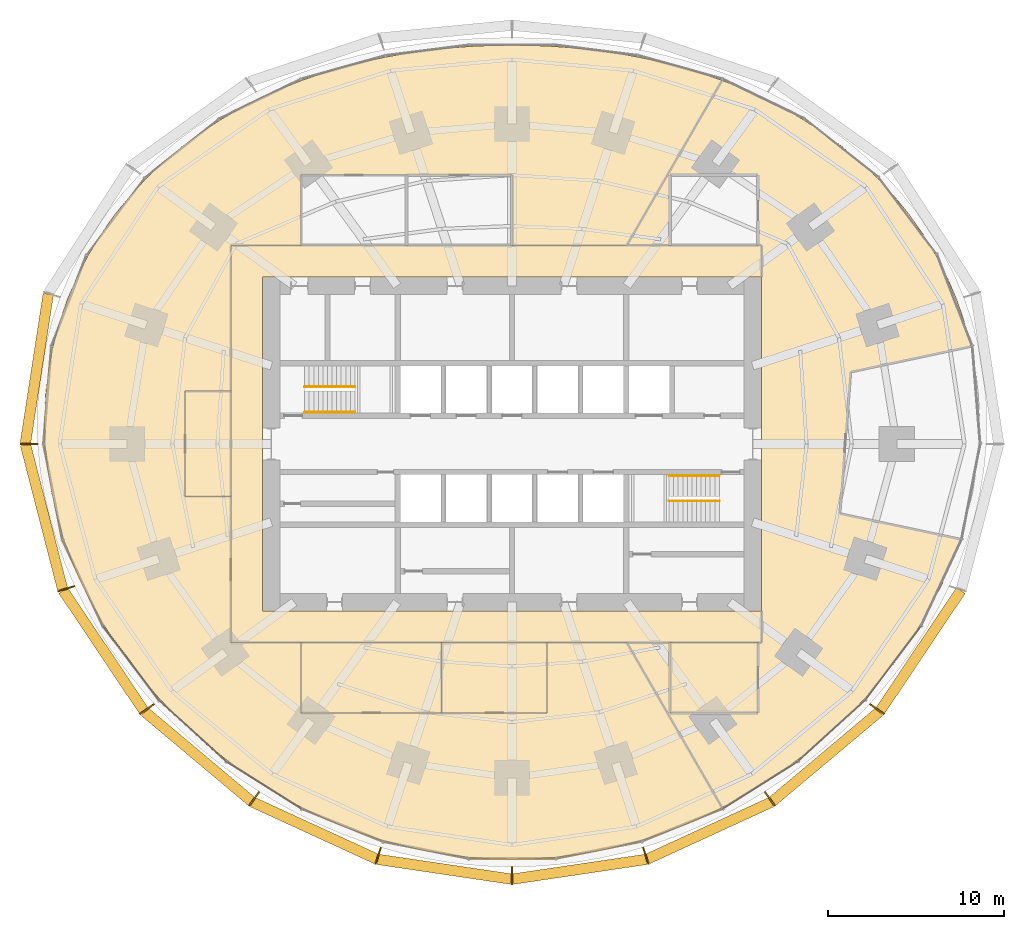
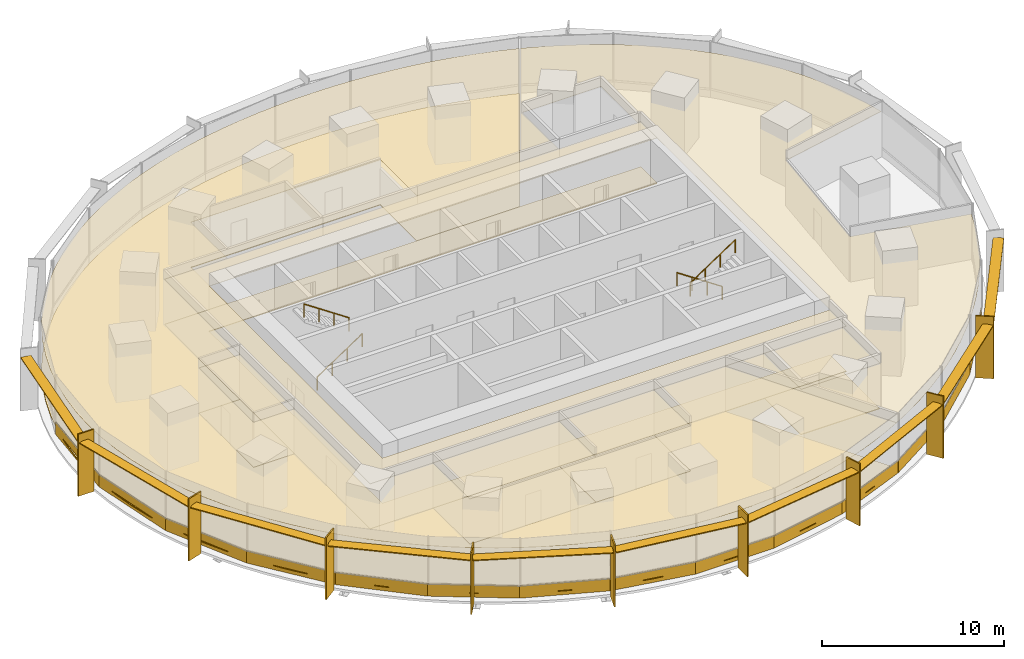
# One storey, part 14 of 15: 27 coverings, 19 shading devices, 4 railings.
"""IFC4 building model written with IfcOpenShell, lengths in metres."""

from ifc_helpers import new_model, si_unit, direction, frame, origin, origin_2d, place, context, subcontext, project, spatial, polyline, rectangle, circle, outline, extrude, material, layer, layer_set, type_object, element, save


model = new_model("IFC4")

# Units and contexts
model_context = context("Model", 3, precision=1e-05, world=origin(), true_north=direction((0.0, 1.0)))
body_context = subcontext(model_context, "Body", "Model", "MODEL_VIEW")
ifc_project = project(units=[si_unit("LENGTHUNIT", "METRE"), si_unit("AREAUNIT", "SQUARE_METRE"), si_unit("VOLUMEUNIT", "CUBIC_METRE"), si_unit("PLANEANGLEUNIT", "RADIAN"), si_unit("MASSUNIT", "GRAM", prefix="KILO")], contexts=[model_context])

# Site, building, storey
site_placement = place(None, origin())
site = spatial("IfcSite", under=ifc_project, at=site_placement, CompositionType="ELEMENT")
building_placement = place(site_placement, origin())
building = spatial("IfcBuilding", under=site, at=building_placement, Name="Marramba Exchange Tower", CompositionType="ELEMENT")
storey_placement = place(building_placement, frame((0.0, 0.0, 82.60009765625)))
storey = spatial("IfcBuildingStorey", under=building, at=storey_placement, Name="L19", CompositionType="ELEMENT", Elevation=82.60009765625)

# Shading devices
ifc_material_1 = material(Name="Aluminium blade, timber-look bronze finish", Category="wood")
ifc_layer_1 = layer(ifc_material_1, 0.080078125)
ifc_layer_set_1 = layer_set([ifc_layer_1], Name="Floor-edge blade 1000x80")
shading_device_type_1 = type_object("IfcShadingDeviceType", Name="Floor-edge blade 1000x80", PredefinedType="USERDEFINED", material=ifc_layer_set_1)
for number, where, z_axis, x_axis, name in (
    (1, (-27.5, 0.0, -0.16015625), (0.0, 0.0, 1.0), (-1.0, 0.0, 0.0), "Floor-edge blade FB1 L19 TC11"),
    (2, (-25.3740234375, -8.24462890625, -0.16015625), (0.0, 0.0, 1.0), (-0.951056516295, -0.309016994375, 0.0), "Floor-edge blade FB1 L19 TC12"),
    (3, (-20.773193359375, -15.092529296875, -0.16015625), (0.0, 0.0, 1.0), (-0.809016994375, -0.587785252292, 0.0), "Floor-edge blade FB1 L19 TC13"),
    (4, (-14.6787109375, -20.20361328125, -0.16015625), (0.0, 0.0, 1.0), (-0.587785252292, -0.809016994375, 0.0), "Floor-edge blade FB1 L19 TC14"),
    (5, (-7.61767578125, -23.444580078125, -0.16015625), (0.0, 0.0, 1.0), (-0.309016994375, -0.951056516295, 0.0), "Floor-edge blade FB1 L19 TC15"),
    (6, (0.0, -24.572021484375, -0.16015625), (0.0, 0.0, 1.0), (0.0, -1.0, 0.0), "Floor-edge blade FB1 L19 TC16"),
    (7, (7.61767578125, -23.444580078125, -0.16015625), (0.0, 0.0, 1.0), (0.309016994375, -0.951056516295, 0.0), "Floor-edge blade FB1 L19 TC17"),
    (8, (14.6787109375, -20.20361328125, -0.16015625), (0.0, 0.0, 1.0), (0.587785252292, -0.809016994375, 0.0), "Floor-edge blade FB1 L19 TC18"),
    (9, (20.773193359375, -15.092529296875, -0.16015625), (0.0, 0.0, 1.0), (0.809016994375, -0.587785252292, 0.0), "Floor-edge blade FB1 L19 TC19"),
):
    element("IfcShadingDevice", number, at=place(storey_placement, frame(where, z_axis=z_axis, x_axis=x_axis)), inside=storey, type_object=shading_device_type_1, Name=name, ObjectType="FIN", PredefinedType="USERDEFINED", context=body_context, shape_type="SweptSolid", body=[
        extrude(rectangle(XDim=1.0, YDim=0.080078125, at=origin_2d()), origin(), (0.0, 0.0, 1.0), 4.159912109375),
    ])

# Coverings
ifc_material_2 = material(Name="Steel raised access floor panels", Category="steel")
ifc_layer_2 = layer(ifc_material_2, 0.050048828125)
ifc_layer_set_2 = layer_set([ifc_layer_2], Name="Raised access floor 300")
covering_type_1 = type_object("IfcCoveringType", Name="Raised access floor 300", PredefinedType="FLOORING", material=ifc_layer_set_2)
covering_1_placement = place(storey_placement, frame((0.0, 0.0, 0.25)))
element("IfcCovering", 10, at=covering_1_placement, inside=storey, type_object=covering_type_1, Name="Raised access floor RAF1 L19 Office", PredefinedType="FLOORING", context=body_context, shape_type="SweptSolid", body=[
    extrude(outline(polyline([(-16.0, 3.0), (-18.60009765625, 3.0), (-18.60009765625, -3.0), (-16.0, -3.0), (-16.0, -11.300048828125), (-12.0, -11.300048828125), (-12.0, -15.300048828125), (-4.0, -15.300048828125), (2.0, -15.300048828125), (2.0, -11.300048828125), (6.524169921875, -11.300048828125), (11.58154296875, -20.059814453125), (11.94921875, -20.69677734375), (10.82373046875, -21.242919921875), (9.677734375, -21.736328125), (8.512451171875, -22.17578125), (7.330078125, -22.56005859375), (6.1328125, -22.8876953125), (4.92236328125, -23.15771484375), (3.701416015625, -23.368896484375), (2.47216796875, -23.5205078125), (1.2373046875, -23.611572265625), (0.0, -23.64208984375), (-1.2373046875, -23.611572265625), (-2.47216796875, -23.5205078125), (-3.701416015625, -23.368896484375), (-4.92236328125, -23.15771484375), (-6.1328125, -22.8876953125), (-7.330078125, -22.56005859375), (-8.512451171875, -22.17578125), (-9.677734375, -21.736328125), (-10.82373046875, -21.242919921875), (-11.94921875, -20.69677734375), (-13.052490234375, -20.09912109375), (-14.132080078125, -19.451171875), (-15.1865234375, -18.75390625), (-16.21435546875, -18.0078125), (-17.213623046875, -17.213623046875), (-18.1826171875, -16.371826171875), (-19.119384765625, -15.482421875), (-20.020751953125, -14.5458984375), (-20.88427734375, -13.5625), (-21.7060546875, -12.531982421875), (-22.482177734375, -11.455322265625), (-23.208251953125, -10.3330078125), (-23.879150390625, -9.166259765625), (-24.489501953125, -7.95703125), (-25.033935546875, -6.707763671875), (-25.50634765625, -5.421630859375), (-25.9013671875, -4.102294921875), (-26.213623046875, -2.755126953125), (-26.43798828125, -1.385498046875), (-26.570068359375, 0.0), (-26.6064453125, 1.394287109375), (-26.544921875, 2.7900390625), (-26.3837890625, 4.1787109375), (-26.123291015625, 5.552734375), (-25.763916015625, 6.9033203125), (-25.30859375, 8.22314453125), (-24.76025390625, 9.50439453125), (-24.12353515625, 10.740478515625), (-23.40380859375, 11.9248046875), (-22.607177734375, 13.05224609375), (-21.740478515625, 14.118408203125), (-20.810791015625, 15.119873046875), (-19.8251953125, 16.05419921875), (-18.791259765625, 16.919677734375), (-17.71630859375, 17.71630859375), (-16.60693359375, 18.44384765625), (-15.4697265625, 19.103759765625), (-14.31103515625, 19.697509765625), (-13.135986328125, 20.2275390625), (-11.94921875, 20.69677734375), (-10.755126953125, 21.10791015625), (-9.556640625, 21.464599609375), (-8.356689453125, 21.76953125), (-7.15673828125, 22.0263671875), (-5.95849609375, 22.23779296875), (-4.7626953125, 22.406982421875), (-3.5693359375, 22.535888671875), (-2.378173828125, 22.62646484375), (-1.188720703125, 22.68017578125), (0.0, 22.697998046875), (1.188720703125, 22.68017578125), (2.378173828125, 22.62646484375), (3.5693359375, 22.535888671875), (4.7626953125, 22.406982421875), (5.95849609375, 22.23779296875), (7.15673828125, 22.0263671875), (8.356689453125, 21.76953125), (9.556640625, 21.464599609375), (10.755126953125, 21.10791015625), (11.94921875, 20.69677734375), (11.58154296875, 20.059814453125), (6.524169921875, 11.300048828125), (0.0, 11.300048828125), (0.0, 15.300048828125), (-6.0, 15.300048828125), (-12.0, 15.300048828125), (-12.0, 11.300048828125), (-16.0, 11.300048828125), (-16.0, 3.0)])), origin(), (0.0, 0.0, 1.0), 0.0498046875),
])
covering_2_placement = place(storey_placement, frame((0.0, 0.0, 0.25)))
element("IfcCovering", 11, at=covering_2_placement, inside=storey, type_object=covering_type_1, Name="Raised access floor RAF1 L19 Corridor", PredefinedType="FLOORING", context=body_context, shape_type="SweptSolid", body=[
    extrude(outline(polyline([(-16.0, -11.300048828125), (-16.0, 11.300048828125), (14.199951171875, 11.300048828125), (14.199951171875, 9.5), (-14.199951171875, 9.5), (-14.199951171875, -9.5), (14.199951171875, -9.5), (14.199951171875, -11.300048828125), (-16.0, -11.300048828125)])), origin(), (0.0, 0.0, 1.0), 0.0498046875),
])
covering_3_placement = place(storey_placement, frame((0.0, 0.0, 0.25)))
element("IfcCovering", 12, at=covering_3_placement, inside=storey, type_object=covering_type_1, Name="Raised access floor RAF1 L19 Data Room", PredefinedType="FLOORING", context=body_context, shape_type="SweptSolid", body=[
    extrude(outline(polyline([(14.0, -15.300048828125), (9.0, -15.300048828125), (9.0, -11.300048828125), (14.0, -11.300048828125), (14.0, -15.300048828125)])), origin(), (0.0, 0.0, 1.0), 0.0498046875),
])
covering_4_placement = place(storey_placement, frame((0.0, 0.0, 0.25)))
element("IfcCovering", 13, at=covering_4_placement, inside=storey, type_object=covering_type_1, Name="Raised access floor RAF1 L19 Clearing Office", PredefinedType="FLOORING", context=body_context, shape_type="SweptSolid", body=[
    extrude(outline(polyline([(-4.0, -15.300048828125), (-12.0, -15.300048828125), (-12.0, -11.300048828125), (-4.0, -11.300048828125), (-4.0, -15.300048828125)])), origin(), (0.0, 0.0, 1.0), 0.0498046875),
])
covering_5_placement = place(storey_placement, frame((0.0, 0.0, 0.25)))
element("IfcCovering", 14, at=covering_5_placement, inside=storey, type_object=covering_type_1, Name="Raised access floor RAF1 L19 Pantry", PredefinedType="FLOORING", context=body_context, shape_type="SweptSolid", body=[
    extrude(outline(polyline([(2.0, -15.300048828125), (-4.0, -15.300048828125), (-4.0, -11.300048828125), (2.0, -11.300048828125), (2.0, -15.300048828125)])), origin(), (0.0, 0.0, 1.0), 0.0498046875),
])
covering_6_placement = place(storey_placement, frame((0.0, 0.0, 0.25)))
element("IfcCovering", 15, at=covering_6_placement, inside=storey, type_object=covering_type_1, Name="Raised access floor RAF1 L19 Print Room", PredefinedType="FLOORING", context=body_context, shape_type="SweptSolid", body=[
    extrude(outline(polyline([(-16.0, -3.0), (-18.60009765625, -3.0), (-18.60009765625, 3.0), (-16.0, 3.0), (-16.0, -3.0)])), origin(), (0.0, 0.0, 1.0), 0.0498046875),
])

# Shading devices
ifc_material_3 = material(Name="Aluminium sunshade, bronze anodised", Category="aluminium")
ifc_layer_3 = layer(ifc_material_3, 0.06005859375)
ifc_layer_set_3 = layer_set([ifc_layer_3], Name="SUNSHADE blade 600x60")
shading_device_type_2 = type_object("IfcShadingDeviceType", Name="SUNSHADE blade 600x60", PredefinedType="USERDEFINED", material=ifc_layer_set_3)
shading_device_1_placement = place(storey_placement, frame((-27.04150390625, 4.2861328125, 3.419921875), z_axis=(0.0, 0.0, 1.0), x_axis=(-0.151825486228, -0.988407315701, 0.0)))
element("IfcShadingDevice", 16, at=shading_device_1_placement, inside=storey, type_object=shading_device_type_2, Name="Sunshade SS1 L19 bay 10", ObjectType="SUNSHADE", PredefinedType="USERDEFINED", context=body_context, shape_type="SweptSolid", body=[
    extrude(rectangle(XDim=8.593017578125, YDim=0.60009765625, at=origin_2d()), origin(), (0.0, 0.0, 1.0), 0.06005859375),
])
shading_device_2_placement = place(storey_placement, frame((-26.632080078125, -4.153076171875, 3.419921875), z_axis=(0.0, 0.0, 1.0), x_axis=(0.249024641331, -0.968497149201, 0.0)))
element("IfcShadingDevice", 17, at=shading_device_2_placement, inside=storey, type_object=shading_device_type_2, Name="Sunshade SS1 L19 bay 11", ObjectType="SUNSHADE", PredefinedType="USERDEFINED", context=body_context, shape_type="SweptSolid", body=[
    extrude(rectangle(XDim=8.49658203125, YDim=0.60009765625, at=origin_2d()), origin(), (0.0, 0.0, 1.0), 0.06005859375),
])
shading_device_3_placement = place(storey_placement, frame((-23.24951171875, -11.75830078125, 3.419921875), z_axis=(0.0, 0.0, 1.0), x_axis=(0.556924164761, -0.830563347798, 0.0)))
element("IfcShadingDevice", 18, at=shading_device_3_placement, inside=storey, type_object=shading_device_type_2, Name="Sunshade SS1 L19 bay 12", ObjectType="SUNSHADE", PredefinedType="USERDEFINED", context=body_context, shape_type="SweptSolid", body=[
    extrude(rectangle(XDim=8.232177734375, YDim=0.60009765625, at=origin_2d()), origin(), (0.0, 0.0, 1.0), 0.06005859375),
])
shading_device_4_placement = place(storey_placement, frame((-17.86572265625, -17.787841796875, 3.419921875), z_axis=(0.0, 0.0, 1.0), x_axis=(0.765776068523, -0.643107310546, 0.0)))
element("IfcShadingDevice", 19, at=shading_device_4_placement, inside=storey, type_object=shading_device_type_2, Name="Sunshade SS1 L19 bay 13", ObjectType="SUNSHADE", PredefinedType="USERDEFINED", context=body_context, shape_type="SweptSolid", body=[
    extrude(rectangle(XDim=7.936279296875, YDim=0.60009765625, at=origin_2d()), origin(), (0.0, 0.0, 1.0), 0.06005859375),
])
shading_device_5_placement = place(storey_placement, frame((-11.23779296875, -22.0, 3.419921875), z_axis=(0.0, 0.0, 1.0), x_axis=(0.908703542008, -0.417442059144, 0.0)))
element("IfcShadingDevice", 20, at=shading_device_5_placement, inside=storey, type_object=shading_device_type_2, Name="Sunshade SS1 L19 bay 14", ObjectType="SUNSHADE", PredefinedType="USERDEFINED", context=body_context, shape_type="SweptSolid", body=[
    extrude(rectangle(XDim=7.751953125, YDim=0.60009765625, at=origin_2d()), origin(), (0.0, 0.0, 1.0), 0.06005859375),
])
for number, where, z_axis, x_axis, name in (
    (21, (-3.839599609375, -24.203369140625, 3.419921875), (0.0, 0.0, 1.0), (0.989212895923, -0.146484970356, 0.0), "Sunshade SS1 L19 bay 15"),
    (22, (3.839599609375, -24.203369140625, 3.419921875), (0.0, 0.0, 1.0), (0.989212895923, 0.146484970356, 0.0), "Sunshade SS1 L19 bay 16"),
):
    element("IfcShadingDevice", number, at=place(storey_placement, frame(where, z_axis=z_axis, x_axis=x_axis)), inside=storey, type_object=shading_device_type_2, Name=name, ObjectType="SUNSHADE", PredefinedType="USERDEFINED", context=body_context, shape_type="SweptSolid", body=[
        extrude(rectangle(XDim=7.68310546875, YDim=0.60009765625, at=origin_2d()), origin(), (0.0, 0.0, 1.0), 0.06005859375),
    ])
shading_device_6_placement = place(storey_placement, frame((11.23779296875, -22.0, 3.419921875), z_axis=(0.0, 0.0, 1.0), x_axis=(0.908703542008, 0.417442059144, 0.0)))
element("IfcShadingDevice", 23, at=shading_device_6_placement, inside=storey, type_object=shading_device_type_2, Name="Sunshade SS1 L19 bay 17", ObjectType="SUNSHADE", PredefinedType="USERDEFINED", context=body_context, shape_type="SweptSolid", body=[
    extrude(rectangle(XDim=7.751953125, YDim=0.60009765625, at=origin_2d()), origin(), (0.0, 0.0, 1.0), 0.06005859375),
])
shading_device_7_placement = place(storey_placement, frame((17.86572265625, -17.787841796875, 3.419921875), z_axis=(0.0, 0.0, 1.0), x_axis=(0.765776068523, 0.643107310546, 0.0)))
element("IfcShadingDevice", 24, at=shading_device_7_placement, inside=storey, type_object=shading_device_type_2, Name="Sunshade SS1 L19 bay 18", ObjectType="SUNSHADE", PredefinedType="USERDEFINED", context=body_context, shape_type="SweptSolid", body=[
    extrude(rectangle(XDim=7.936279296875, YDim=0.60009765625, at=origin_2d()), origin(), (0.0, 0.0, 1.0), 0.06005859375),
])
shading_device_8_placement = place(storey_placement, frame((23.24951171875, -11.75830078125, 3.419921875), z_axis=(0.0, 0.0, 1.0), x_axis=(0.556924164761, 0.830563347798, 0.0)))
element("IfcShadingDevice", 25, at=shading_device_8_placement, inside=storey, type_object=shading_device_type_2, Name="Sunshade SS1 L19 bay 19", ObjectType="SUNSHADE", PredefinedType="USERDEFINED", context=body_context, shape_type="SweptSolid", body=[
    extrude(rectangle(XDim=8.232177734375, YDim=0.60009765625, at=origin_2d()), origin(), (0.0, 0.0, 1.0), 0.06005859375),
])

# Coverings
ifc_material_4 = material(Name="Aluminium spandrel panel, bronze anodised, insulated", Category="aluminium")
ifc_layer_4 = layer(ifc_material_4, 0.050048828125)
ifc_layer_set_4 = layer_set([ifc_layer_4], Name="Spandrel panel 800")
covering_type_2 = type_object("IfcCoveringType", Name="Spandrel panel 800", PredefinedType="CLADDING", material=ifc_layer_set_4)
covering_7_placement = place(storey_placement, frame((-26.42578125, 2.78466796875, 0.0), z_axis=(0.0, 0.0, 1.0), x_axis=(-0.080275227657, -0.996772736297, 0.0)))
element("IfcCovering", 26, at=covering_7_placement, inside=storey, type_object=covering_type_2, Name="Spandrel panel SP1 L19 F15", PredefinedType="CLADDING", context=body_context, shape_type="SweptSolid", body=[
    extrude(rectangle(XDim=5.58740234375, YDim=0.050048828125, at=origin_2d()), origin(), (0.0, 0.0, 1.0), 0.800048828125),
])
covering_8_placement = place(storey_placement, frame((-26.117431640625, -2.718994140625, 0.0), z_axis=(0.0, 0.0, 1.0), x_axis=(0.19224858127, -0.981346260501, 0.0)))
element("IfcCovering", 27, at=covering_8_placement, inside=storey, type_object=covering_type_2, Name="Spandrel panel SP1 L19 F16", PredefinedType="CLADDING", context=body_context, shape_type="SweptSolid", body=[
    extrude(rectangle(XDim=5.54150390625, YDim=0.050048828125, at=origin_2d()), origin(), (0.0, 0.0, 1.0), 0.800048828125),
])
covering_9_placement = place(storey_placement, frame((-24.432861328125, -7.90185546875, 0.0), z_axis=(0.0, 0.0, 1.0), x_axis=(0.423477213559, -0.905906755464, 0.0)))
element("IfcCovering", 28, at=covering_9_placement, inside=storey, type_object=covering_type_2, Name="Spandrel panel SP1 L19 F17", PredefinedType="CLADDING", context=body_context, shape_type="SweptSolid", body=[
    extrude(rectangle(XDim=5.439208984375, YDim=0.050048828125, at=origin_2d()), origin(), (0.0, 0.0, 1.0), 0.800048828125),
])
covering_10_placement = place(storey_placement, frame((-21.683349609375, -12.479248046875, 0.0), z_axis=(0.0, 0.0, 1.0), x_axis=(0.603040469481, -0.797710594243, 0.0)))
element("IfcCovering", 29, at=covering_10_placement, inside=storey, type_object=covering_type_2, Name="Spandrel panel SP1 L19 F18", PredefinedType="CLADDING", context=body_context, shape_type="SweptSolid", body=[
    extrude(rectangle(XDim=5.299560546875, YDim=0.050048828125, at=origin_2d()), origin(), (0.0, 0.0, 1.0), 0.800048828125),
])
covering_11_placement = place(storey_placement, frame((-18.1767578125, -16.330078125, 0.0), z_axis=(0.0, 0.0, 1.0), x_axis=(0.739589582203, -0.673058132628, 0.0)))
element("IfcCovering", 30, at=covering_11_placement, inside=storey, type_object=covering_type_2, Name="Spandrel panel SP1 L19 F19", PredefinedType="CLADDING", context=body_context, shape_type="SweptSolid", body=[
    extrude(rectangle(XDim=5.161865234375, YDim=0.050048828125, at=origin_2d()), origin(), (0.0, 0.0, 1.0), 0.800048828125),
])
covering_12_placement = place(storey_placement, frame((-14.128662109375, -19.416748046875, 0.0), z_axis=(0.0, 0.0, 1.0), x_axis=(0.845790829799, -0.533514641062, 0.0)))
element("IfcCovering", 31, at=covering_12_placement, inside=storey, type_object=covering_type_2, Name="Spandrel panel SP1 L19 F20", PredefinedType="CLADDING", context=body_context, shape_type="SweptSolid", body=[
    extrude(rectangle(XDim=5.05859375, YDim=0.050048828125, at=origin_2d()), origin(), (0.0, 0.0, 1.0), 0.800048828125),
])
covering_13_placement = place(storey_placement, frame((-9.672119140625, -21.701171875, 0.0), z_axis=(0.0, 0.0, 1.0), x_axis=(0.927340675001, -0.374218215069, 0.0)))
element("IfcCovering", 32, at=covering_13_placement, inside=storey, type_object=covering_type_2, Name="Spandrel panel SP1 L19 F21", PredefinedType="CLADDING", context=body_context, shape_type="SweptSolid", body=[
    extrude(rectangle(XDim=4.99755859375, YDim=0.050048828125, at=origin_2d()), origin(), (0.0, 0.0, 1.0), 0.800048828125),
])
covering_14_placement = place(storey_placement, frame((-4.917724609375, -23.1181640625, 0.0), z_axis=(0.0, 0.0, 1.0), x_axis=(0.981009201842, -0.193961196898, 0.0)))
element("IfcCovering", 33, at=covering_14_placement, inside=storey, type_object=covering_type_2, Name="Spandrel panel SP1 L19 F22", PredefinedType="CLADDING", context=body_context, shape_type="SweptSolid", body=[
    extrude(rectangle(XDim=4.96875, YDim=0.050048828125, at=origin_2d()), origin(), (0.0, 0.0, 1.0), 0.800048828125),
])
covering_15_placement = place(storey_placement, frame((0.0, -23.599853515625, 0.0), z_axis=(0.0, 0.0, 1.0), x_axis=(1.0, 0.0, 0.0)))
element("IfcCovering", 34, at=covering_15_placement, inside=storey, type_object=covering_type_2, Name="Spandrel panel SP1 L19 F23", PredefinedType="CLADDING", context=body_context, shape_type="SweptSolid", body=[
    extrude(rectangle(XDim=4.9609375, YDim=0.050048828125, at=origin_2d()), origin(), (0.0, 0.0, 1.0), 0.800048828125),
])
covering_16_placement = place(storey_placement, frame((4.917724609375, -23.1181640625, 0.0), z_axis=(0.0, 0.0, 1.0), x_axis=(0.981009201842, 0.193961196898, 0.0)))
element("IfcCovering", 35, at=covering_16_placement, inside=storey, type_object=covering_type_2, Name="Spandrel panel SP1 L19 F24", PredefinedType="CLADDING", context=body_context, shape_type="SweptSolid", body=[
    extrude(rectangle(XDim=4.96875, YDim=0.050048828125, at=origin_2d()), origin(), (0.0, 0.0, 1.0), 0.800048828125),
])
covering_17_placement = place(storey_placement, frame((9.672119140625, -21.701171875, 0.0), z_axis=(0.0, 0.0, 1.0), x_axis=(0.927340675001, 0.374218215069, 0.0)))
element("IfcCovering", 36, at=covering_17_placement, inside=storey, type_object=covering_type_2, Name="Spandrel panel SP1 L19 F25", PredefinedType="CLADDING", context=body_context, shape_type="SweptSolid", body=[
    extrude(rectangle(XDim=4.99755859375, YDim=0.050048828125, at=origin_2d()), origin(), (0.0, 0.0, 1.0), 0.800048828125),
])
covering_18_placement = place(storey_placement, frame((14.128662109375, -19.416748046875, 0.0), z_axis=(0.0, 0.0, 1.0), x_axis=(0.845790829799, 0.533514641062, 0.0)))
element("IfcCovering", 37, at=covering_18_placement, inside=storey, type_object=covering_type_2, Name="Spandrel panel SP1 L19 F26", PredefinedType="CLADDING", context=body_context, shape_type="SweptSolid", body=[
    extrude(rectangle(XDim=5.05859375, YDim=0.050048828125, at=origin_2d()), origin(), (0.0, 0.0, 1.0), 0.800048828125),
])
covering_19_placement = place(storey_placement, frame((18.1767578125, -16.330078125, 0.0), z_axis=(0.0, 0.0, 1.0), x_axis=(0.739589582203, 0.673058132628, 0.0)))
element("IfcCovering", 38, at=covering_19_placement, inside=storey, type_object=covering_type_2, Name="Spandrel panel SP1 L19 F27", PredefinedType="CLADDING", context=body_context, shape_type="SweptSolid", body=[
    extrude(rectangle(XDim=5.161865234375, YDim=0.050048828125, at=origin_2d()), origin(), (0.0, 0.0, 1.0), 0.800048828125),
])
covering_20_placement = place(storey_placement, frame((21.683349609375, -12.479248046875, 0.0), z_axis=(0.0, 0.0, 1.0), x_axis=(0.603040469481, 0.797710594243, 0.0)))
element("IfcCovering", 39, at=covering_20_placement, inside=storey, type_object=covering_type_2, Name="Spandrel panel SP1 L19 F28", PredefinedType="CLADDING", context=body_context, shape_type="SweptSolid", body=[
    extrude(rectangle(XDim=5.299560546875, YDim=0.050048828125, at=origin_2d()), origin(), (0.0, 0.0, 1.0), 0.800048828125),
])

# Railings
ifc_material_5 = material(Name="Stainless steel handrail", Category="steel")
railing_type = type_object("IfcRailingType", Name="Stair handrail 900", PredefinedType="HANDRAIL", material=ifc_material_5)
railing_1_placement = place(storey_placement, frame((-11.800048828125, 1.800048828125, 0.1748046875)))
element("IfcRailing", 40, at=railing_1_placement, inside=storey, type_object=railing_type, Name="Handrail HR1 ST1 L19 flight 1", PredefinedType="HANDRAIL", context=body_context, shape_type="SweptSolid", body=[
    extrude(circle(Radius=0.02392578125, at=origin_2d()), frame((0.0, 0.0, 0.8759765625), z_axis=(0.829590901723, 0.0, 0.558371682465), x_axis=(0.0, 1.0, 0.0)), (0.0, 0.0, 1.0), 3.447509765625),
    extrude(circle(Radius=0.02099609375, at=origin_2d()), origin(), (0.0, 0.0, 1.0), 0.851806640625),
    extrude(circle(Radius=0.02099609375, at=origin_2d()), frame((0.953369140625, 0.0, 0.6416015625)), (0.0, 0.0, 1.0), 0.851806640625),
    extrude(circle(Radius=0.02099609375, at=origin_2d()), frame((1.90673828125, 0.0, 1.283447265625)), (0.0, 0.0, 1.0), 0.851806640625),
    extrude(circle(Radius=0.02099609375, at=origin_2d()), frame((2.860107421875, 0.0, 1.925048828125)), (0.0, 0.0, 1.0), 0.851806640625),
])
for number, where, name in (
    (41, (-8.93994140625, 3.25, 2.27490234375), "Handrail HR1 ST1 L19 flight 2"),
    (42, (11.800048828125, -1.800048828125, 0.1748046875), "Handrail HR1 ST2 L19 flight 1"),
):
    element("IfcRailing", number, at=place(storey_placement, frame(where)), inside=storey, type_object=railing_type, Name=name, PredefinedType="HANDRAIL", context=body_context, shape_type="SweptSolid", body=[
        extrude(circle(Radius=0.02392578125, at=origin_2d()), frame((0.0, 0.0, 0.8759765625), z_axis=(-0.829590901723, 0.0, 0.558371682465), x_axis=(0.0, -1.0, 0.0)), (0.0, 0.0, 1.0), 3.447509765625),
        extrude(circle(Radius=0.02099609375, at=origin_2d()), origin(), (0.0, 0.0, 1.0), 0.851806640625),
        extrude(circle(Radius=0.02099609375, at=origin_2d()), frame((-0.953369140625, 0.0, 0.6416015625)), (0.0, 0.0, 1.0), 0.851806640625),
        extrude(circle(Radius=0.02099609375, at=origin_2d()), frame((-1.90673828125, 0.0, 1.283447265625)), (0.0, 0.0, 1.0), 0.851806640625),
        extrude(circle(Radius=0.02099609375, at=origin_2d()), frame((-2.860107421875, 0.0, 1.925048828125)), (0.0, 0.0, 1.0), 0.851806640625),
    ])
railing_2_placement = place(storey_placement, frame((8.93994140625, -3.25, 2.27490234375)))
element("IfcRailing", 43, at=railing_2_placement, inside=storey, type_object=railing_type, Name="Handrail HR1 ST2 L19 flight 2", PredefinedType="HANDRAIL", context=body_context, shape_type="SweptSolid", body=[
    extrude(circle(Radius=0.02392578125, at=origin_2d()), frame((0.0, 0.0, 0.8759765625), z_axis=(0.829590901723, 0.0, 0.558371682465), x_axis=(0.0, 1.0, 0.0)), (0.0, 0.0, 1.0), 3.447509765625),
    extrude(circle(Radius=0.02099609375, at=origin_2d()), origin(), (0.0, 0.0, 1.0), 0.851806640625),
    extrude(circle(Radius=0.02099609375, at=origin_2d()), frame((0.953369140625, 0.0, 0.6416015625)), (0.0, 0.0, 1.0), 0.851806640625),
    extrude(circle(Radius=0.02099609375, at=origin_2d()), frame((1.90673828125, 0.0, 1.283447265625)), (0.0, 0.0, 1.0), 0.851806640625),
    extrude(circle(Radius=0.02099609375, at=origin_2d()), frame((2.860107421875, 0.0, 1.925048828125)), (0.0, 0.0, 1.0), 0.851806640625),
])

# Coverings
ifc_material_6 = material(Name="Mineral fibre ceiling tiles", Category="gypsum")
ifc_layer_5 = layer(ifc_material_6, 0.02001953125)
ifc_layer_set_5 = layer_set([ifc_layer_5], Name="Suspended ceiling 20")
covering_type_3 = type_object("IfcCoveringType", Name="Suspended ceiling 20", PredefinedType="CEILING", material=ifc_layer_set_5)
covering_21_placement = place(storey_placement, frame((0.0, 0.0, 3.2998046875)))
element("IfcCovering", 44, at=covering_21_placement, inside=storey, type_object=covering_type_3, Name="Ceiling CL1 L19 Market Operations Office", PredefinedType="CEILING", context=body_context, shape_type="SweptSolid", body=[
    extrude(outline(polyline([(14.199951171875, -9.5), (14.199951171875, 9.5), (14.199951171875, 11.300048828125), (14.0, 11.300048828125), (14.0, 15.300048828125), (9.0, 15.300048828125), (9.0, 11.300048828125), (6.524169921875, 11.300048828125), (11.94921875, 20.69677734375), (13.135986328125, 20.2275390625), (14.31103515625, 19.697509765625), (15.4697265625, 19.103759765625), (16.60693359375, 18.44384765625), (17.71630859375, 17.71630859375), (18.791259765625, 16.919677734375), (19.8251953125, 16.05419921875), (20.810791015625, 15.119873046875), (21.740478515625, 14.118408203125), (22.607177734375, 13.05224609375), (23.40380859375, 11.9248046875), (24.12353515625, 10.740478515625), (24.76025390625, 9.50439453125), (25.30859375, 8.22314453125), (25.763916015625, 6.9033203125), (26.123291015625, 5.552734375), (19.276123046875, 4.097412109375), (18.659423828125, -3.96630859375), (25.50634765625, -5.421630859375), (25.033935546875, -6.707763671875), (24.489501953125, -7.95703125), (23.879150390625, -9.166259765625), (23.208251953125, -10.3330078125), (22.482177734375, -11.455322265625), (21.7060546875, -12.531982421875), (20.88427734375, -13.5625), (20.020751953125, -14.5458984375), (19.119384765625, -15.482421875), (18.1826171875, -16.371826171875), (17.213623046875, -17.213623046875), (16.21435546875, -18.0078125), (15.1865234375, -18.75390625), (14.132080078125, -19.451171875), (13.052490234375, -20.09912109375), (11.94921875, -20.69677734375), (6.524169921875, -11.300048828125), (9.0, -11.300048828125), (9.0, -15.300048828125), (14.0, -15.300048828125), (14.0, -11.300048828125), (14.199951171875, -11.300048828125), (14.199951171875, -9.5)])), origin(), (0.0, 0.0, 1.0), 0.02001953125),
])
covering_22_placement = place(storey_placement, frame((0.0, 0.0, 3.2998046875)))
element("IfcCovering", 45, at=covering_22_placement, inside=storey, type_object=covering_type_3, Name="Ceiling CL1 L19 Office", PredefinedType="CEILING", context=body_context, shape_type="SweptSolid", body=[
    extrude(outline(polyline([(-16.0, 3.0), (-18.60009765625, 3.0), (-18.60009765625, -3.0), (-16.0, -3.0), (-16.0, -11.300048828125), (-12.0, -11.300048828125), (-12.0, -15.300048828125), (-4.0, -15.300048828125), (2.0, -15.300048828125), (2.0, -11.300048828125), (6.524169921875, -11.300048828125), (11.58154296875, -20.059814453125), (11.94921875, -20.69677734375), (10.82373046875, -21.242919921875), (9.677734375, -21.736328125), (8.512451171875, -22.17578125), (7.330078125, -22.56005859375), (6.1328125, -22.8876953125), (4.92236328125, -23.15771484375), (3.701416015625, -23.368896484375), (2.47216796875, -23.5205078125), (1.2373046875, -23.611572265625), (0.0, -23.64208984375), (-1.2373046875, -23.611572265625), (-2.47216796875, -23.5205078125), (-3.701416015625, -23.368896484375), (-4.92236328125, -23.15771484375), (-6.1328125, -22.8876953125), (-7.330078125, -22.56005859375), (-8.512451171875, -22.17578125), (-9.677734375, -21.736328125), (-10.82373046875, -21.242919921875), (-11.94921875, -20.69677734375), (-13.052490234375, -20.09912109375), (-14.132080078125, -19.451171875), (-15.1865234375, -18.75390625), (-16.21435546875, -18.0078125), (-17.213623046875, -17.213623046875), (-18.1826171875, -16.371826171875), (-19.119384765625, -15.482421875), (-20.020751953125, -14.5458984375), (-20.88427734375, -13.5625), (-21.7060546875, -12.531982421875), (-22.482177734375, -11.455322265625), (-23.208251953125, -10.3330078125), (-23.879150390625, -9.166259765625), (-24.489501953125, -7.95703125), (-25.033935546875, -6.707763671875), (-25.50634765625, -5.421630859375), (-25.9013671875, -4.102294921875), (-26.213623046875, -2.755126953125), (-26.43798828125, -1.385498046875), (-26.570068359375, 0.0), (-26.6064453125, 1.394287109375), (-26.544921875, 2.7900390625), (-26.3837890625, 4.1787109375), (-26.123291015625, 5.552734375), (-25.763916015625, 6.9033203125), (-25.30859375, 8.22314453125), (-24.76025390625, 9.50439453125), (-24.12353515625, 10.740478515625), (-23.40380859375, 11.9248046875), (-22.607177734375, 13.05224609375), (-21.740478515625, 14.118408203125), (-20.810791015625, 15.119873046875), (-19.8251953125, 16.05419921875), (-18.791259765625, 16.919677734375), (-17.71630859375, 17.71630859375), (-16.60693359375, 18.44384765625), (-15.4697265625, 19.103759765625), (-14.31103515625, 19.697509765625), (-13.135986328125, 20.2275390625), (-11.94921875, 20.69677734375), (-10.755126953125, 21.10791015625), (-9.556640625, 21.464599609375), (-8.356689453125, 21.76953125), (-7.15673828125, 22.0263671875), (-5.95849609375, 22.23779296875), (-4.7626953125, 22.406982421875), (-3.5693359375, 22.535888671875), (-2.378173828125, 22.62646484375), (-1.188720703125, 22.68017578125), (0.0, 22.697998046875), (1.188720703125, 22.68017578125), (2.378173828125, 22.62646484375), (3.5693359375, 22.535888671875), (4.7626953125, 22.406982421875), (5.95849609375, 22.23779296875), (7.15673828125, 22.0263671875), (8.356689453125, 21.76953125), (9.556640625, 21.464599609375), (10.755126953125, 21.10791015625), (11.94921875, 20.69677734375), (11.58154296875, 20.059814453125), (6.524169921875, 11.300048828125), (0.0, 11.300048828125), (0.0, 15.300048828125), (-6.0, 15.300048828125), (-12.0, 15.300048828125), (-12.0, 11.300048828125), (-16.0, 11.300048828125), (-16.0, 3.0)])), origin(), (0.0, 0.0, 1.0), 0.02001953125),
])
covering_23_placement = place(storey_placement, frame((0.0, 0.0, 3.2998046875)))
element("IfcCovering", 46, at=covering_23_placement, inside=storey, type_object=covering_type_3, Name="Ceiling CL1 L19 Corridor", PredefinedType="CEILING", context=body_context, shape_type="SweptSolid", body=[
    extrude(outline(polyline([(-16.0, -11.300048828125), (-16.0, 11.300048828125), (14.199951171875, 11.300048828125), (14.199951171875, 9.5), (-14.199951171875, 9.5), (-14.199951171875, -9.5), (14.199951171875, -9.5), (14.199951171875, -11.300048828125), (-16.0, -11.300048828125)])), origin(), (0.0, 0.0, 1.0), 0.02001953125),
])
covering_24_placement = place(storey_placement, frame((0.0, 0.0, 3.2998046875)))
element("IfcCovering", 47, at=covering_24_placement, inside=storey, type_object=covering_type_3, Name="Ceiling CL1 L19 Data Room", PredefinedType="CEILING", context=body_context, shape_type="SweptSolid", body=[
    extrude(outline(polyline([(14.0, -15.300048828125), (9.0, -15.300048828125), (9.0, -11.300048828125), (14.0, -11.300048828125), (14.0, -15.300048828125)])), origin(), (0.0, 0.0, 1.0), 0.02001953125),
])
covering_25_placement = place(storey_placement, frame((0.0, 0.0, 3.2998046875)))
element("IfcCovering", 48, at=covering_25_placement, inside=storey, type_object=covering_type_3, Name="Ceiling CL1 L19 Clearing Office", PredefinedType="CEILING", context=body_context, shape_type="SweptSolid", body=[
    extrude(outline(polyline([(-4.0, -15.300048828125), (-12.0, -15.300048828125), (-12.0, -11.300048828125), (-4.0, -11.300048828125), (-4.0, -15.300048828125)])), origin(), (0.0, 0.0, 1.0), 0.02001953125),
])
covering_26_placement = place(storey_placement, frame((0.0, 0.0, 3.2998046875)))
element("IfcCovering", 49, at=covering_26_placement, inside=storey, type_object=covering_type_3, Name="Ceiling CL1 L19 Pantry", PredefinedType="CEILING", context=body_context, shape_type="SweptSolid", body=[
    extrude(outline(polyline([(2.0, -15.300048828125), (-4.0, -15.300048828125), (-4.0, -11.300048828125), (2.0, -11.300048828125), (2.0, -15.300048828125)])), origin(), (0.0, 0.0, 1.0), 0.02001953125),
])
covering_27_placement = place(storey_placement, frame((0.0, 0.0, 3.2998046875)))
element("IfcCovering", 50, at=covering_27_placement, inside=storey, type_object=covering_type_3, Name="Ceiling CL1 L19 Print Room", PredefinedType="CEILING", context=body_context, shape_type="SweptSolid", body=[
    extrude(outline(polyline([(-16.0, -3.0), (-18.60009765625, -3.0), (-18.60009765625, 3.0), (-16.0, 3.0), (-16.0, -3.0)])), origin(), (0.0, 0.0, 1.0), 0.02001953125),
])

save(model, "model.ifc")
